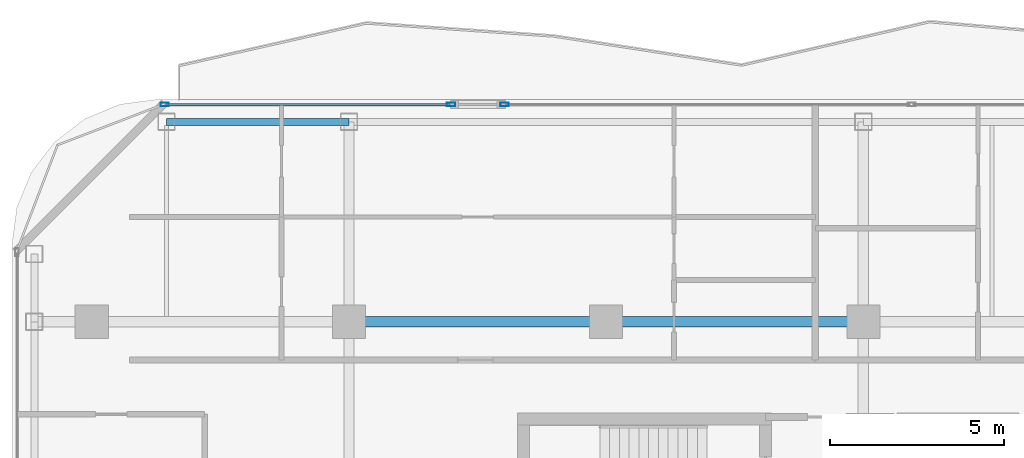
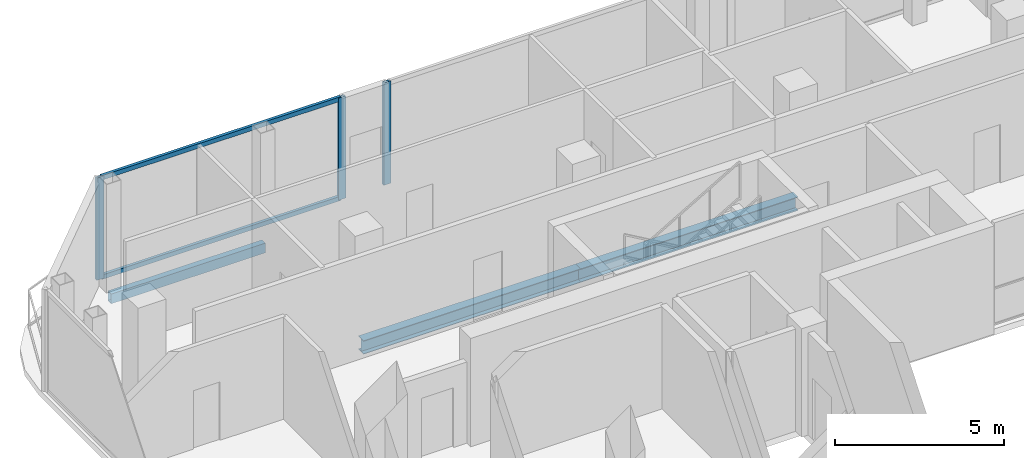
# One storey, part 11 of 22: 5 members, 3 beams, 2 elements without a shape of their own.
"""IFC4 building model written with IfcOpenShell, lengths in metres."""

from ifc_helpers import new_model, si_unit, direction, frame, origin, origin_2d, place, context, subcontext, project, spatial, hollow_rectangle, i_section, extrude, material, layer, layer_set, material_profile, profile_set, type_object, element, aggregate, save


model = new_model("IFC4")

# Units and contexts
model_context = context("Model", 3, precision=1e-05, world=origin(), true_north=direction((0.0, 1.0)))
body_context = subcontext(model_context, "Body", "Model", "MODEL_VIEW")
ifc_project = project(units=[si_unit("LENGTHUNIT", "METRE"), si_unit("AREAUNIT", "SQUARE_METRE"), si_unit("VOLUMEUNIT", "CUBIC_METRE"), si_unit("PLANEANGLEUNIT", "RADIAN"), si_unit("MASSUNIT", "GRAM", prefix="KILO")], contexts=[model_context])

# Site, building, storey
site_placement = place(None, origin())
site = spatial("IfcSite", under=ifc_project, at=site_placement, CompositionType="ELEMENT")
building_placement = place(site_placement, origin())
building = spatial("IfcBuilding", under=site, at=building_placement, Name="Khorvyn Point Tower", CompositionType="ELEMENT")
storey_placement = place(building_placement, frame((0.0, 0.0, 278.10009765625)))
storey = spatial("IfcBuildingStorey", under=building, at=storey_placement, Name="L68", CompositionType="ELEMENT", Elevation=278.10009765625)

# Curtain wall, members
ifc_material_1 = material(Name="Anodised aluminium 6063-T6 and laminated Low-E glass", Category="aluminium")
ifc_layer = layer(ifc_material_1, 0.18994140625)
ifc_layer_set = layer_set([ifc_layer], Name="Stick-Built High-Wind Curtain Wall CW-SYS-04")
curtain_wall_type = type_object("IfcCurtainWallType", Name="Stick-Built High-Wind Curtain Wall CW-SYS-04", PredefinedType="NOTDEFINED", material=ifc_layer_set)
curtain_wall_1_placement = place(storey_placement, origin())
curtain_wall_1 = element("IfcCurtainWall", 1, at=curtain_wall_1_placement, inside=storey, type_object=curtain_wall_type, Name="Curtain Wall", PredefinedType="NOTDEFINED")
ifc_material_2 = material(Name="Anodised aluminium 6063-T6", Category="aluminium")
ifc_material_profile_1 = material_profile(ifc_material_2, hollow_rectangle(XDim=0.10009765625, YDim=0.239990234375, WallThickness=0.0048828125, at=origin_2d()))
ifc_profile_set_1 = profile_set([ifc_material_profile_1], Name="Anodised aluminium 6063-T6 ALU-MUL-100x240")
member_type_1 = type_object("IfcMemberType", Name="Anodised Aluminium 6063-T6 Mullion ALU-MUL-100x240", PredefinedType="MULLION", material=ifc_profile_set_1)
member_1_placement = place(storey_placement, frame((-12.699951171875, 21.050048828125, 0.0), z_axis=(0.0, 0.0, 1.0), x_axis=(0.0, 1.0, 0.0)))
member_1 = element("IfcMember", 2, at=member_1_placement, type_object=member_type_1, Name="Transom", PredefinedType="MULLION", context=body_context, shape_type="SweptSolid", body=[
    extrude(hollow_rectangle(XDim=0.10009765625, YDim=0.239990234375, WallThickness=0.0048828125, at=origin_2d()), origin(), (0.0, 0.0, 1.0), 3.679931640625),
])
member_2_placement = place(storey_placement, frame((-4.462890625, 21.050048828125, 0.0), z_axis=(0.0, 0.0, 1.0), x_axis=(0.0, 1.0, 0.0)))
member_2 = element("IfcMember", 3, at=member_2_placement, type_object=member_type_1, Name="Transom", PredefinedType="MULLION", context=body_context, shape_type="SweptSolid", body=[
    extrude(hollow_rectangle(XDim=0.10009765625, YDim=0.239990234375, WallThickness=0.0048828125, at=origin_2d()), origin(), (0.0, 0.0, 1.0), 3.679931640625),
])

# Curtain wall, member
curtain_wall_2_placement = place(storey_placement, origin())
curtain_wall_2 = element("IfcCurtainWall", 4, at=curtain_wall_2_placement, inside=storey, type_object=curtain_wall_type, Name="Curtain Wall", PredefinedType="NOTDEFINED")
member_3_placement = place(storey_placement, frame((-2.923095703125, 21.050048828125, 0.0), z_axis=(0.0, 0.0, 1.0), x_axis=(0.0, 1.0, 0.0)))
member_3 = element("IfcMember", 5, at=member_3_placement, type_object=member_type_1, Name="Transom", PredefinedType="MULLION", context=body_context, shape_type="SweptSolid", body=[
    extrude(hollow_rectangle(XDim=0.10009765625, YDim=0.239990234375, WallThickness=0.0048828125, at=origin_2d()), origin(), (0.0, 0.0, 1.0), 3.679931640625),
])
aggregate(curtain_wall_2, [member_3])

# Member
ifc_material_profile_2 = material_profile(ifc_material_2, hollow_rectangle(XDim=0.10009765625, YDim=0.159912109375, WallThickness=0.00439453125, at=origin_2d()))
ifc_profile_set_2 = profile_set([ifc_material_profile_2], Name="Anodised aluminium 6063-T6 ALU-TRN-100x160")
member_type_2 = type_object("IfcMemberType", Name="Anodised Aluminium 6063-T6 Transom ALU-TRN-100x160", PredefinedType="USERDEFINED", material=ifc_profile_set_2)
member_4_placement = place(storey_placement, frame((-12.64990234375, 21.050048828125, 0.0498046875), z_axis=(1.0, 0.0, 0.0), x_axis=(0.0, 1.0, 0.0)))
member_4 = element("IfcMember", 6, at=member_4_placement, type_object=member_type_2, Name="Transom", ObjectType="TRANSOM", PredefinedType="USERDEFINED", context=body_context, shape_type="SweptSolid", body=[
    extrude(hollow_rectangle(XDim=0.10009765625, YDim=0.159912109375, WallThickness=0.00439453125, at=origin_2d()), origin(), (0.0, 0.0, 1.0), 8.136962890625),
])

member_5_placement = place(storey_placement, frame((-12.64990234375, 21.050048828125, 3.6298828125), z_axis=(1.0, 0.0, 0.0), x_axis=(0.0, 1.0, 0.0)))
member_5 = element("IfcMember", 7, at=member_5_placement, type_object=member_type_2, Name="Transom", ObjectType="TRANSOM", PredefinedType="USERDEFINED", context=body_context, shape_type="SweptSolid", body=[
    extrude(hollow_rectangle(XDim=0.10009765625, YDim=0.159912109375, WallThickness=0.00439453125, at=origin_2d()), origin(), (0.0, 0.0, 1.0), 8.136962890625),
])

aggregate(curtain_wall_1, [member_1, member_2, member_4, member_5])

# Beams
ifc_material_3 = material(Name="Steel S355", Category="steel")
ifc_material_profile_3 = material_profile(ifc_material_3, i_section(OverallWidth=0.300048828125, OverallDepth=0.488037109375, WebThickness=0.010986328125, FlangeThickness=0.01806640625, at=origin_2d()))
ifc_profile_set_3 = profile_set([ifc_material_profile_3], Name="Steel S355 H488x300x11x18")
beam_type_1 = type_object("IfcBeamType", Name="Steel S355 Spandrel H488x300x11x18", PredefinedType="SPANDREL", material=ifc_profile_set_3)
for number, where, z_axis, x_axis, name in (
    (8, (-7.39990234375, 14.800048828125, -0.464111328125), (1.0, 0.0, 0.0), (0.0, 1.0, 0.0), "Beam"),
    (9, (0.0, 14.800048828125, -0.464111328125), (1.0, 0.0, 0.0), (0.0, 1.0, 0.0), "Beam"),
):
    element("IfcBeam", number, at=place(storey_placement, frame(where, z_axis=z_axis, x_axis=x_axis)), inside=storey, type_object=beam_type_1, Name=name, PredefinedType="SPANDREL", context=body_context, shape_type="SweptSolid", body=[
        extrude(i_section(OverallWidth=0.300048828125, OverallDepth=0.488037109375, WebThickness=0.010986328125, FlangeThickness=0.01806640625, at=origin_2d()), origin(), (0.0, 0.0, 1.0), 7.39990234375),
    ])
ifc_material_profile_4 = material_profile(ifc_material_3, hollow_rectangle(XDim=0.199951171875, YDim=0.35009765625, WallThickness=0.013916015625, at=origin_2d()))
ifc_profile_set_4 = profile_set([ifc_material_profile_4], Name="Steel S355 RHS350x200x14")
beam_type_2 = type_object("IfcBeamType", Name="Steel S355 Spandrel RHS350x200x14", PredefinedType="SPANDREL", material=ifc_profile_set_4)
beam_placement = place(storey_placement, frame((-12.64990234375, 20.550048828125, -0.39501953125), z_axis=(1.0, 0.0, 0.0), x_axis=(0.0, 1.0, 0.0)))
element("IfcBeam", 10, at=beam_placement, inside=storey, type_object=beam_type_2, Name="Beam", PredefinedType="SPANDREL", context=body_context, shape_type="SweptSolid", body=[
    extrude(hollow_rectangle(XDim=0.199951171875, YDim=0.35009765625, WallThickness=0.013916015625, at=origin_2d()), origin(), (0.0, 0.0, 1.0), 5.25),
])

save(model, "model.ifc")
